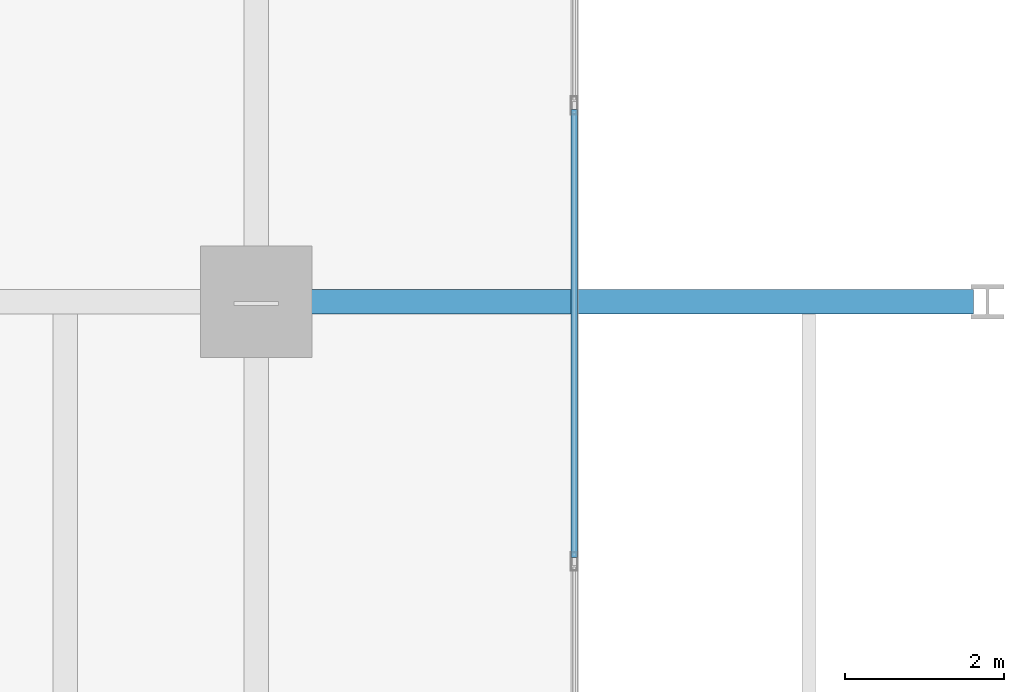
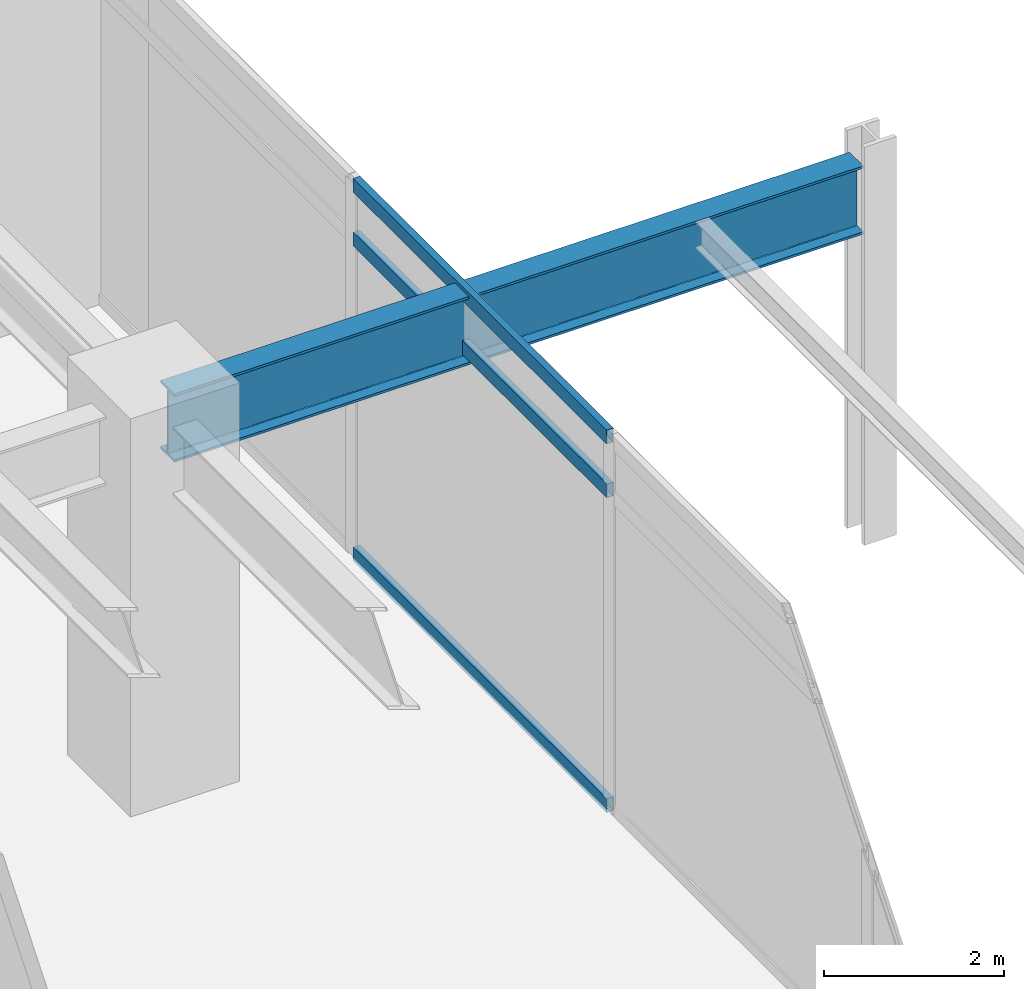
# One storey, part 13 of 24: 3 members, 1 beam, 1 element without a shape of its own.
"""IFC4 building model written with IfcOpenShell, lengths in metres."""

from ifc_helpers import new_model, si_unit, direction, frame, origin, origin_2d, place, context, subcontext, project, spatial, hollow_rectangle, i_section, extrude, material, material_profile, profile_set, type_object, element, aggregate, save


model = new_model("IFC4")

# Units and contexts
model_context = context("Model", 3, precision=1e-05, world=origin(), true_north=direction((0.0, 1.0)))
body_context = subcontext(model_context, "Body", "Model", "MODEL_VIEW")
ifc_project = project(units=[si_unit("LENGTHUNIT", "METRE"), si_unit("AREAUNIT", "SQUARE_METRE"), si_unit("VOLUMEUNIT", "CUBIC_METRE"), si_unit("PLANEANGLEUNIT", "RADIAN"), si_unit("MASSUNIT", "GRAM", prefix="KILO")], contexts=[model_context])

# Site, building, storey
site_placement = place(None, origin())
site = spatial("IfcSite", under=ifc_project, at=site_placement, CompositionType="ELEMENT")
building_placement = place(site_placement, origin())
building = spatial("IfcBuilding", under=site, at=building_placement, Name="Kovane Verandah Tower", CompositionType="ELEMENT")
storey_placement = place(building_placement, frame((0.0, 0.0, 194.800048828125)))
storey = spatial("IfcBuildingStorey", under=building, at=storey_placement, Name="L45", CompositionType="ELEMENT", Elevation=194.800048828125)

# Beam
ifc_material_1 = material(Name="Steel S460", Category="steel")
ifc_material_profile_1 = material_profile(ifc_material_1, i_section(OverallWidth=0.3076171875, OverallDepth=0.926513671875, WebThickness=0.01953125, FlangeThickness=0.031982421875, FilletRadius=0.01904296875, at=origin_2d()), Name="UB914x305x289")
ifc_profile_set_1 = profile_set([ifc_material_profile_1], Name="Steel S460")
beam_type = type_object("IfcBeamType", Name="BM-UB914x289", PredefinedType="BEAM", material=ifc_profile_set_1)
beam_placement = place(storey_placement, frame((58.580078125, 36.5, 4.63671875), z_axis=(1.0, 0.0, 0.0), x_axis=(0.0, 1.0, 0.0)))
element("IfcBeam", 1, at=beam_placement, inside=storey, type_object=beam_type, Name="L45 Primary Tower Girder G-VE2", PredefinedType="BEAM", context=body_context, shape_type="SweptSolid", body=[
    extrude(i_section(OverallWidth=0.3076171875, OverallDepth=0.926513671875, WebThickness=0.01953125, FlangeThickness=0.031982421875, FilletRadius=0.01904296875, at=origin_2d()), origin(), (0.0, 0.0, 1.0), 8.83984375),
])

# Curtain wall, members
ifc_material_2 = material(Name="Champagne Anodised Aluminium Frame with Low-E Clear Laminated Glass", Category="aluminium")
curtain_wall_type = type_object("IfcCurtainWallType", Name="CW-SYS-04-WAIST", PredefinedType="NOTDEFINED", material=ifc_material_2)
curtain_wall_placement = place(storey_placement, origin())
curtain_wall = element("IfcCurtainWall", 2, at=curtain_wall_placement, inside=storey, type_object=curtain_wall_type, Name="L45 E Unitised Curtain Wall", PredefinedType="NOTDEFINED")
ifc_material_3 = material(Name="Champagne Anodised Aluminium 6063-T6", Category="aluminium")
ifc_material_profile_2 = material_profile(ifc_material_3, hollow_rectangle(XDim=0.0849609375, YDim=0.18994140625, WallThickness=0.00390625, at=origin_2d()), Name="AL85x190x4")
ifc_profile_set_2 = profile_set([ifc_material_profile_2], Name="Champagne Anodised Aluminium 6063-T6")
member_type = type_object("IfcMemberType", Name="CW-TRN-85x190", PredefinedType="USERDEFINED", material=ifc_profile_set_2)
member_1_placement = place(storey_placement, frame((62.39990234375, 33.283203125, 0.050048828125), z_axis=(0.0, 1.0, 0.0), x_axis=(-1.0, 0.0, 0.0)))
member_1 = element("IfcMember", 3, at=member_1_placement, type_object=member_type, Name="L45 E Unitised Curtain Wall Transom TB Bay 5", ObjectType="TRANSOM", PredefinedType="USERDEFINED", context=body_context, shape_type="SweptSolid", body=[
    extrude(hollow_rectangle(XDim=0.0849609375, YDim=0.18994140625, WallThickness=0.00390625, at=origin_2d()), origin(), (0.0, 0.0, 1.0), 5.633544921875),
])
member_2_placement = place(storey_placement, frame((62.39990234375, 33.283203125, 4.320068359375), z_axis=(0.0, 1.0, 0.0), x_axis=(-1.0, 0.0, 0.0)))
member_2 = element("IfcMember", 4, at=member_2_placement, type_object=member_type, Name="L45 E Unitised Curtain Wall Transom TM Bay 5", ObjectType="TRANSOM", PredefinedType="USERDEFINED", context=body_context, shape_type="SweptSolid", body=[
    extrude(hollow_rectangle(XDim=0.0849609375, YDim=0.18994140625, WallThickness=0.00390625, at=origin_2d()), origin(), (0.0, 0.0, 1.0), 5.633544921875),
])
member_3_placement = place(storey_placement, frame((62.39990234375, 33.283203125, 5.050048828125), z_axis=(0.0, 1.0, 0.0), x_axis=(-1.0, 0.0, 0.0)))
member_3 = element("IfcMember", 5, at=member_3_placement, type_object=member_type, Name="L45 E Unitised Curtain Wall Transom TT Bay 5", ObjectType="TRANSOM", PredefinedType="USERDEFINED", context=body_context, shape_type="SweptSolid", body=[
    extrude(hollow_rectangle(XDim=0.0849609375, YDim=0.18994140625, WallThickness=0.00390625, at=origin_2d()), origin(), (0.0, 0.0, 1.0), 5.633544921875),
])
aggregate(curtain_wall, [member_1, member_2, member_3])

save(model, "model.ifc")
